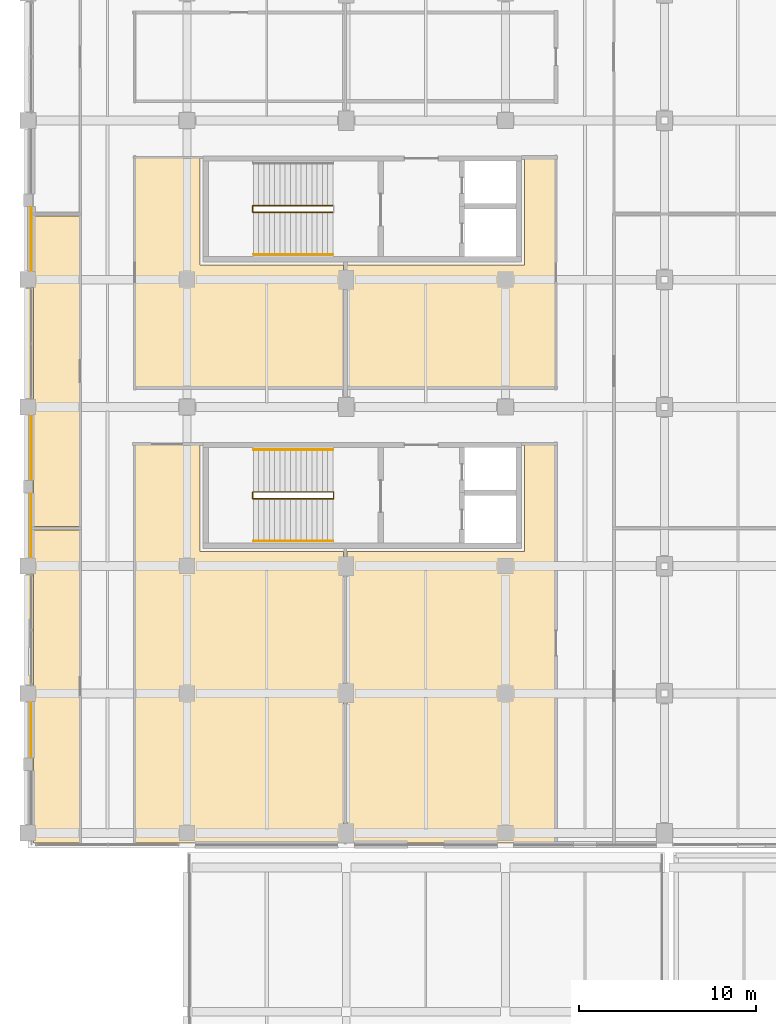
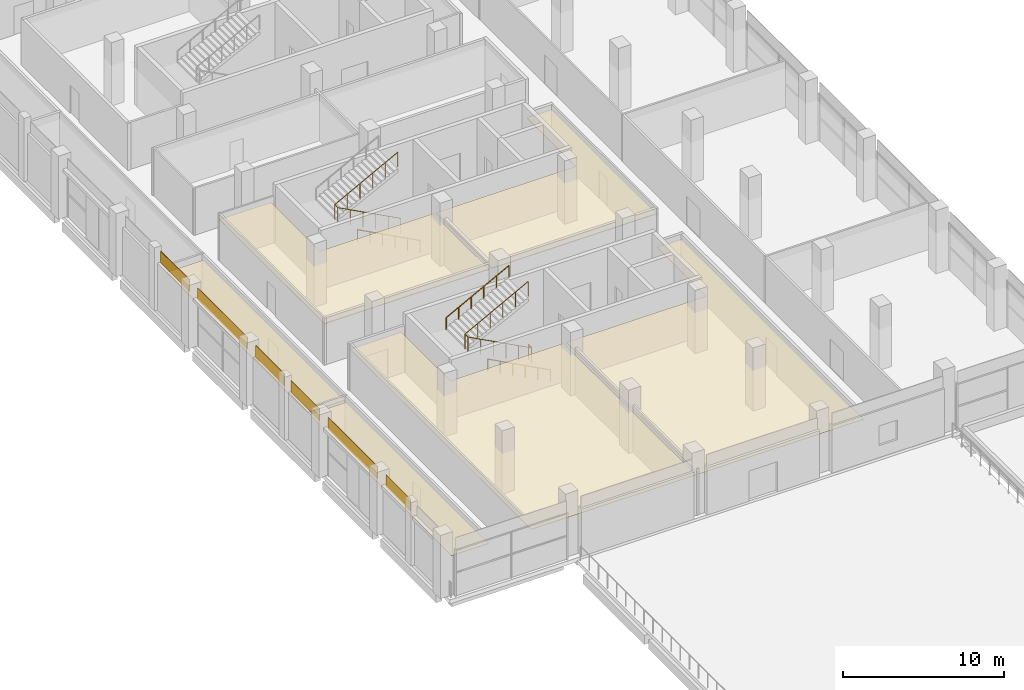
# One storey, part 66 of 82: 12 coverings, 6 railings.
"""IFC4 building model written with IfcOpenShell, lengths in metres."""

from ifc_helpers import new_model, si_unit, direction, frame, origin, origin_2d, place, context, subcontext, project, spatial, polyline, rectangle, circle, outline, extrude, material, layer, layer_set, type_object, element, save


model = new_model("IFC4")

# Units and contexts
model_context = context("Model", 3, precision=1e-05, world=origin(), true_north=direction((0.0, 1.0)))
body_context = subcontext(model_context, "Body", "Model", "MODEL_VIEW")
ifc_project = project(units=[si_unit("LENGTHUNIT", "METRE"), si_unit("AREAUNIT", "SQUARE_METRE"), si_unit("VOLUMEUNIT", "CUBIC_METRE"), si_unit("PLANEANGLEUNIT", "RADIAN"), si_unit("MASSUNIT", "GRAM", prefix="KILO"), si_unit("THERMODYNAMICTEMPERATUREUNIT", "KELVIN"), si_unit("POWERUNIT", "WATT")], contexts=[model_context])

# Site, building, storey
site_placement = place(None, origin())
site = spatial("IfcSite", under=ifc_project, at=site_placement, CompositionType="ELEMENT")
building_placement = place(site_placement, origin())
building = spatial("IfcBuilding", under=site, at=building_placement, Name="Sindhuravela Promenade Stadium", CompositionType="ELEMENT")
storey_placement = place(building_placement, frame((0.0, 0.0, 14.39990234375)))
storey = spatial("IfcBuildingStorey", under=building, at=storey_placement, Name="L03", CompositionType="ELEMENT", Elevation=14.39990234375)

# Coverings
ifc_material_1 = material(Name="Acoustic mineral-fibre ceiling tile", Category="gypsum")
ifc_layer_1 = layer(ifc_material_1, 0.02490234375)
ifc_layer_set_1 = layer_set([ifc_layer_1], Name="Acoustic mineral-fibre ceiling tile")
covering_type_1 = type_object("IfcCoveringType", Name="CV-CEIL-1", PredefinedType="CEILING", material=ifc_layer_set_1)
covering_1_placement = place(storey_placement, frame((0.0, 0.0, 3.050048828125)))
element("IfcCovering", 1, at=covering_1_placement, inside=storey, type_object=covering_type_1, Name="Acoustic ceiling Grand Banquet Hall West", PredefinedType="CEILING", context=body_context, shape_type="SweptSolid", body=[
    extrude(outline(polyline([(6.02001953125, 59.110107421875), (6.02001953125, 59.112060546875), (6.0205078125, 59.114013671875), (6.02099609375, 59.11572265625), (6.021484375, 59.11767578125), (6.0224609375, 59.119384765625), (6.0234375, 59.12109375), (6.0244140625, 59.122802734375), (6.02587890625, 59.1240234375), (6.02734375, 59.12548828125), (6.02880859375, 59.126708984375), (6.030517578125, 59.127685546875), (6.0322265625, 59.12841796875), (6.0341796875, 59.129150390625), (6.0361328125, 59.129638671875), (6.0380859375, 59.1298828125), (6.0400390625, 59.1298828125), (9.699951171875, 59.1298828125), (9.701904296875, 59.1298828125), (9.703857421875, 59.129638671875), (9.705810546875, 59.129150390625), (9.707763671875, 59.12841796875), (9.70947265625, 59.127685546875), (9.711181640625, 59.126708984375), (9.712646484375, 59.12548828125), (9.714111328125, 59.1240234375), (9.715576171875, 59.122802734375), (9.716552734375, 59.12109375), (9.717529296875, 59.119384765625), (9.718505859375, 59.11767578125), (9.718994140625, 59.11572265625), (9.719482421875, 59.114013671875), (9.719970703125, 59.112060546875), (9.719970703125, 59.110107421875), (9.719970703125, 53.02001953125), (17.830078125, 53.02001953125), (17.83203125, 53.02001953125), (17.833984375, 53.01953125), (17.835693359375, 53.01904296875), (17.837646484375, 53.0185546875), (17.83935546875, 53.017578125), (17.841064453125, 53.0166015625), (17.8427734375, 53.015380859375), (17.843994140625, 53.01416015625), (17.845458984375, 53.0126953125), (17.8466796875, 53.010986328125), (17.84765625, 53.009521484375), (17.848388671875, 53.0078125), (17.84912109375, 53.005859375), (17.849609375, 53.00390625), (17.849853515625, 53.001953125), (17.85009765625, 53.0), (17.85009765625, 36.570068359375), (17.849853515625, 36.568115234375), (17.849609375, 36.566162109375), (17.84912109375, 36.564208984375), (17.848388671875, 36.562255859375), (17.84765625, 36.560546875), (17.8466796875, 36.558837890625), (17.845458984375, 36.557373046875), (17.843994140625, 36.555908203125), (17.8427734375, 36.554443359375), (17.841064453125, 36.553466796875), (17.83935546875, 36.552490234375), (17.837646484375, 36.551513671875), (17.835693359375, 36.55078125), (17.833984375, 36.55029296875), (17.83203125, 36.550048828125), (17.830078125, 36.550048828125), (6.0400390625, 36.550048828125), (6.0380859375, 36.550048828125), (6.0361328125, 36.55029296875), (6.0341796875, 36.55078125), (6.0322265625, 36.551513671875), (6.030517578125, 36.552490234375), (6.02880859375, 36.553466796875), (6.02734375, 36.554443359375), (6.02587890625, 36.555908203125), (6.0244140625, 36.557373046875), (6.0234375, 36.558837890625), (6.0224609375, 36.560546875), (6.021484375, 36.562255859375), (6.02099609375, 36.564208984375), (6.0205078125, 36.566162109375), (6.02001953125, 36.568115234375), (6.02001953125, 36.570068359375), (6.02001953125, 59.110107421875)])), origin(), (0.0, 0.0, 1.0), 0.025146484375),
])
covering_2_placement = place(storey_placement, frame((0.0, 0.0, 3.050048828125)))
element("IfcCovering", 2, at=covering_2_placement, inside=storey, type_object=covering_type_1, Name="Acoustic ceiling Executive Hospitality Suite W02", PredefinedType="CEILING", context=body_context, shape_type="SweptSolid", body=[
    extrude(outline(polyline([(28.080078125, 53.02001953125), (28.080078125, 59.110107421875), (28.080078125, 59.112060546875), (28.080322265625, 59.114013671875), (28.080810546875, 59.11572265625), (28.08154296875, 59.11767578125), (28.08251953125, 59.119384765625), (28.08349609375, 59.12109375), (28.08447265625, 59.122802734375), (28.0859375, 59.1240234375), (28.08740234375, 59.12548828125), (28.0888671875, 59.126708984375), (28.090576171875, 59.127685546875), (28.09228515625, 59.12841796875), (28.09423828125, 59.129150390625), (28.09619140625, 59.129638671875), (28.097900390625, 59.1298828125), (28.10009765625, 59.1298828125), (29.860107421875, 59.1298828125), (29.862060546875, 59.1298828125), (29.864013671875, 59.129638671875), (29.86572265625, 59.129150390625), (29.86767578125, 59.12841796875), (29.869384765625, 59.127685546875), (29.87109375, 59.126708984375), (29.872802734375, 59.12548828125), (29.8740234375, 59.1240234375), (29.87548828125, 59.122802734375), (29.876708984375, 59.12109375), (29.877685546875, 59.119384765625), (29.87841796875, 59.11767578125), (29.879150390625, 59.11572265625), (29.879638671875, 59.114013671875), (29.8798828125, 59.112060546875), (29.8798828125, 59.110107421875), (29.8798828125, 36.570068359375), (29.8798828125, 36.568115234375), (29.879638671875, 36.566162109375), (29.879150390625, 36.564208984375), (29.87841796875, 36.562255859375), (29.877685546875, 36.560546875), (29.876708984375, 36.558837890625), (29.87548828125, 36.557373046875), (29.8740234375, 36.555908203125), (29.872802734375, 36.554443359375), (29.87109375, 36.553466796875), (29.869384765625, 36.552490234375), (29.86767578125, 36.551513671875), (29.86572265625, 36.55078125), (29.864013671875, 36.55029296875), (29.862060546875, 36.550048828125), (29.860107421875, 36.550048828125), (18.070068359375, 36.550048828125), (18.068115234375, 36.550048828125), (18.066162109375, 36.55029296875), (18.064208984375, 36.55078125), (18.062255859375, 36.551513671875), (18.060546875, 36.552490234375), (18.058837890625, 36.553466796875), (18.057373046875, 36.554443359375), (18.055908203125, 36.555908203125), (18.054443359375, 36.557373046875), (18.053466796875, 36.558837890625), (18.052490234375, 36.560546875), (18.051513671875, 36.562255859375), (18.05078125, 36.564208984375), (18.05029296875, 36.566162109375), (18.050048828125, 36.568115234375), (18.050048828125, 36.570068359375), (18.050048828125, 53.0), (18.050048828125, 53.001953125), (18.05029296875, 53.00390625), (18.05078125, 53.005859375), (18.051513671875, 53.0078125), (18.052490234375, 53.009521484375), (18.053466796875, 53.010986328125), (18.054443359375, 53.0126953125), (18.055908203125, 53.01416015625), (18.057373046875, 53.015380859375), (18.058837890625, 53.0166015625), (18.060546875, 53.017578125), (18.062255859375, 53.0185546875), (18.064208984375, 53.01904296875), (18.066162109375, 53.01953125), (18.068115234375, 53.02001953125), (18.070068359375, 53.02001953125), (28.080078125, 53.02001953125)])), origin(), (0.0, 0.0, 1.0), 0.025146484375),
])
covering_3_placement = place(storey_placement, frame((0.0, 0.0, 3.050048828125)))
element("IfcCovering", 3, at=covering_3_placement, inside=storey, type_object=covering_type_1, Name="Acoustic ceiling Accessible WC West L03 8", PredefinedType="CEILING", context=body_context, shape_type="SweptSolid", body=[
    extrude(outline(polyline([(2.97998046875, 36.570068359375), (2.97998046875, 36.568115234375), (2.9794921875, 36.566162109375), (2.97900390625, 36.564208984375), (2.978515625, 36.562255859375), (2.9775390625, 36.560546875), (2.9765625, 36.558837890625), (2.9755859375, 36.557373046875), (2.97412109375, 36.555908203125), (2.97265625, 36.554443359375), (2.97119140625, 36.553466796875), (2.969482421875, 36.552490234375), (2.9677734375, 36.551513671875), (2.9658203125, 36.55078125), (2.9638671875, 36.55029296875), (2.9619140625, 36.550048828125), (2.9599609375, 36.550048828125), (0.320068359375, 36.550048828125), (0.318115234375, 36.550048828125), (0.316162109375, 36.55029296875), (0.314208984375, 36.55078125), (0.312255859375, 36.551513671875), (0.310546875, 36.552490234375), (0.308837890625, 36.553466796875), (0.307373046875, 36.554443359375), (0.305908203125, 36.555908203125), (0.304443359375, 36.557373046875), (0.303466796875, 36.558837890625), (0.302490234375, 36.560546875), (0.301513671875, 36.562255859375), (0.30078125, 36.564208984375), (0.30029296875, 36.566162109375), (0.300048828125, 36.568115234375), (0.300048828125, 36.570068359375), (0.300048828125, 54.221923828125), (0.300048828125, 54.22412109375), (0.30029296875, 54.225830078125), (0.30078125, 54.227783203125), (0.301513671875, 54.229736328125), (0.302490234375, 54.2314453125), (0.303466796875, 54.233154296875), (0.304443359375, 54.234619140625), (0.305908203125, 54.236083984375), (0.307373046875, 54.237548828125), (0.308837890625, 54.238525390625), (0.310546875, 54.239501953125), (0.312255859375, 54.240478515625), (0.314208984375, 54.2412109375), (0.316162109375, 54.24169921875), (0.318115234375, 54.241943359375), (0.320068359375, 54.241943359375), (2.9599609375, 54.241943359375), (2.9619140625, 54.241943359375), (2.9638671875, 54.24169921875), (2.9658203125, 54.2412109375), (2.9677734375, 54.240478515625), (2.969482421875, 54.239501953125), (2.97119140625, 54.238525390625), (2.97265625, 54.237548828125), (2.97412109375, 54.236083984375), (2.9755859375, 54.234619140625), (2.9765625, 54.233154296875), (2.9775390625, 54.2314453125), (2.978515625, 54.229736328125), (2.97900390625, 54.227783203125), (2.9794921875, 54.225830078125), (2.97998046875, 54.22412109375), (2.97998046875, 54.221923828125), (2.97998046875, 36.570068359375)])), origin(), (0.0, 0.0, 1.0), 0.025146484375),
])
ifc_layer_2 = layer(ifc_material_1, 0.044921875)
ifc_layer_set_2 = layer_set([ifc_layer_2], Name="Acoustic mineral-fibre ceiling tile")
covering_type_2 = type_object("IfcCoveringType", Name="CV-CEIL-2", PredefinedType="CEILING", material=ifc_layer_set_2)
covering_4_placement = place(storey_placement, frame((0.0, 0.0, 3.050048828125)))
element("IfcCovering", 4, at=covering_4_placement, inside=storey, type_object=covering_type_2, Name="Acoustic ceiling Executive Hospitality Suite W01 3", PredefinedType="CEILING", context=body_context, shape_type="SweptSolid", body=[
    extrude(outline(polyline([(6.0400390625, 62.27001953125), (6.0380859375, 62.27001953125), (6.0361328125, 62.2705078125), (6.0341796875, 62.27099609375), (6.0322265625, 62.271484375), (6.030517578125, 62.2724609375), (6.02880859375, 62.2734375), (6.02734375, 62.2744140625), (6.02587890625, 62.27587890625), (6.0244140625, 62.27734375), (6.0234375, 62.27880859375), (6.0224609375, 62.280517578125), (6.021484375, 62.2822265625), (6.02099609375, 62.2841796875), (6.0205078125, 62.2861328125), (6.02001953125, 62.2880859375), (6.02001953125, 62.2900390625), (6.02001953125, 75.31005859375), (6.02001953125, 75.31201171875), (6.0205078125, 75.31396484375), (6.02099609375, 75.31591796875), (6.021484375, 75.317626953125), (6.0224609375, 75.3193359375), (6.0234375, 75.321044921875), (6.0244140625, 75.32275390625), (6.02587890625, 75.32421875), (6.02734375, 75.325439453125), (6.02880859375, 75.32666015625), (6.030517578125, 75.32763671875), (6.0322265625, 75.32861328125), (6.0341796875, 75.3291015625), (6.0361328125, 75.32958984375), (6.0380859375, 75.329833984375), (6.0400390625, 75.330078125), (9.699951171875, 75.330078125), (9.701904296875, 75.329833984375), (9.703857421875, 75.32958984375), (9.705810546875, 75.3291015625), (9.707763671875, 75.32861328125), (9.70947265625, 75.32763671875), (9.711181640625, 75.32666015625), (9.712646484375, 75.325439453125), (9.714111328125, 75.32421875), (9.715576171875, 75.32275390625), (9.716552734375, 75.321044921875), (9.717529296875, 75.3193359375), (9.718505859375, 75.317626953125), (9.718994140625, 75.31591796875), (9.719482421875, 75.31396484375), (9.719970703125, 75.31201171875), (9.719970703125, 75.31005859375), (9.719970703125, 69.219970703125), (17.830078125, 69.219970703125), (17.83203125, 69.219970703125), (17.833984375, 69.219482421875), (17.835693359375, 69.218994140625), (17.837646484375, 69.218505859375), (17.83935546875, 69.217529296875), (17.841064453125, 69.216552734375), (17.8427734375, 69.215576171875), (17.843994140625, 69.214111328125), (17.845458984375, 69.212646484375), (17.8466796875, 69.211181640625), (17.84765625, 69.20947265625), (17.848388671875, 69.207763671875), (17.84912109375, 69.205810546875), (17.849609375, 69.203857421875), (17.849853515625, 69.201904296875), (17.85009765625, 69.199951171875), (17.85009765625, 62.2900390625), (17.849853515625, 62.2880859375), (17.849609375, 62.2861328125), (17.84912109375, 62.2841796875), (17.848388671875, 62.2822265625), (17.84765625, 62.280517578125), (17.8466796875, 62.27880859375), (17.845458984375, 62.27734375), (17.843994140625, 62.27587890625), (17.8427734375, 62.2744140625), (17.841064453125, 62.2734375), (17.83935546875, 62.2724609375), (17.837646484375, 62.271484375), (17.835693359375, 62.27099609375), (17.833984375, 62.2705078125), (17.83203125, 62.27001953125), (17.830078125, 62.27001953125), (6.0400390625, 62.27001953125)])), origin(), (0.0, 0.0, 1.0), 0.045166015625),
])
covering_5_placement = place(storey_placement, frame((0.0, 0.0, 3.050048828125)))
element("IfcCovering", 5, at=covering_5_placement, inside=storey, type_object=covering_type_2, Name="Acoustic ceiling Executive Hospitality Suite W03 5", PredefinedType="CEILING", context=body_context, shape_type="SweptSolid", body=[
    extrude(outline(polyline([(28.080078125, 75.31005859375), (28.080078125, 75.31201171875), (28.080322265625, 75.31396484375), (28.080810546875, 75.31591796875), (28.08154296875, 75.317626953125), (28.08251953125, 75.3193359375), (28.08349609375, 75.321044921875), (28.08447265625, 75.32275390625), (28.0859375, 75.32421875), (28.08740234375, 75.325439453125), (28.0888671875, 75.32666015625), (28.090576171875, 75.32763671875), (28.09228515625, 75.32861328125), (28.09423828125, 75.3291015625), (28.09619140625, 75.32958984375), (28.097900390625, 75.329833984375), (28.10009765625, 75.330078125), (29.860107421875, 75.330078125), (29.862060546875, 75.329833984375), (29.864013671875, 75.32958984375), (29.86572265625, 75.3291015625), (29.86767578125, 75.32861328125), (29.869384765625, 75.32763671875), (29.87109375, 75.32666015625), (29.872802734375, 75.325439453125), (29.8740234375, 75.32421875), (29.87548828125, 75.32275390625), (29.876708984375, 75.321044921875), (29.877685546875, 75.3193359375), (29.87841796875, 75.317626953125), (29.879150390625, 75.31591796875), (29.879638671875, 75.31396484375), (29.8798828125, 75.31201171875), (29.8798828125, 75.31005859375), (29.8798828125, 62.2900390625), (29.8798828125, 62.2880859375), (29.879638671875, 62.2861328125), (29.879150390625, 62.2841796875), (29.87841796875, 62.2822265625), (29.877685546875, 62.280517578125), (29.876708984375, 62.27880859375), (29.87548828125, 62.27734375), (29.8740234375, 62.27587890625), (29.872802734375, 62.2744140625), (29.87109375, 62.2734375), (29.869384765625, 62.2724609375), (29.86767578125, 62.271484375), (29.86572265625, 62.27099609375), (29.864013671875, 62.2705078125), (29.862060546875, 62.27001953125), (29.860107421875, 62.27001953125), (18.070068359375, 62.27001953125), (18.068115234375, 62.27001953125), (18.066162109375, 62.2705078125), (18.064208984375, 62.27099609375), (18.062255859375, 62.271484375), (18.060546875, 62.2724609375), (18.058837890625, 62.2734375), (18.057373046875, 62.2744140625), (18.055908203125, 62.27587890625), (18.054443359375, 62.27734375), (18.053466796875, 62.27880859375), (18.052490234375, 62.280517578125), (18.051513671875, 62.2822265625), (18.05078125, 62.2841796875), (18.05029296875, 62.2861328125), (18.050048828125, 62.2880859375), (18.050048828125, 62.2900390625), (18.050048828125, 69.199951171875), (18.050048828125, 69.201904296875), (18.05029296875, 69.203857421875), (18.05078125, 69.205810546875), (18.051513671875, 69.207763671875), (18.052490234375, 69.20947265625), (18.053466796875, 69.211181640625), (18.054443359375, 69.212646484375), (18.055908203125, 69.214111328125), (18.057373046875, 69.215576171875), (18.058837890625, 69.216552734375), (18.060546875, 69.217529296875), (18.062255859375, 69.218505859375), (18.064208984375, 69.218994140625), (18.066162109375, 69.219482421875), (18.068115234375, 69.219970703125), (18.070068359375, 69.219970703125), (28.080078125, 69.219970703125), (28.080078125, 75.31005859375)])), origin(), (0.0, 0.0, 1.0), 0.045166015625),
])
covering_6_placement = place(storey_placement, frame((0.0, 0.0, 3.050048828125)))
element("IfcCovering", 6, at=covering_6_placement, inside=storey, type_object=covering_type_2, Name="Acoustic ceiling Executive Hospitality Suite W01 11", PredefinedType="CEILING", context=body_context, shape_type="SweptSolid", body=[
    extrude(outline(polyline([(2.97998046875, 54.4619140625), (2.97998046875, 54.4599609375), (2.9794921875, 54.4580078125), (2.97900390625, 54.456298828125), (2.978515625, 54.454345703125), (2.9775390625, 54.45263671875), (2.9765625, 54.450927734375), (2.9755859375, 54.44921875), (2.97412109375, 54.447998046875), (2.97265625, 54.446533203125), (2.97119140625, 54.4453125), (2.969482421875, 54.4443359375), (2.9677734375, 54.443603515625), (2.9658203125, 54.44287109375), (2.9638671875, 54.4423828125), (2.9619140625, 54.442138671875), (2.9599609375, 54.44189453125), (0.320068359375, 54.44189453125), (0.318115234375, 54.442138671875), (0.316162109375, 54.4423828125), (0.314208984375, 54.44287109375), (0.312255859375, 54.443603515625), (0.310546875, 54.4443359375), (0.308837890625, 54.4453125), (0.307373046875, 54.446533203125), (0.305908203125, 54.447998046875), (0.304443359375, 54.44921875), (0.303466796875, 54.450927734375), (0.302490234375, 54.45263671875), (0.301513671875, 54.454345703125), (0.30078125, 54.456298828125), (0.30029296875, 54.4580078125), (0.300048828125, 54.4599609375), (0.300048828125, 54.4619140625), (0.300048828125, 71.993896484375), (0.300048828125, 71.99609375), (0.30029296875, 71.997802734375), (0.30078125, 71.999755859375), (0.301513671875, 72.001708984375), (0.302490234375, 72.00341796875), (0.303466796875, 72.005126953125), (0.304443359375, 72.006591796875), (0.305908203125, 72.008056640625), (0.307373046875, 72.009521484375), (0.308837890625, 72.010498046875), (0.310546875, 72.01171875), (0.312255859375, 72.012451171875), (0.314208984375, 72.01318359375), (0.316162109375, 72.013671875), (0.318115234375, 72.013916015625), (0.320068359375, 72.013916015625), (2.9599609375, 72.013916015625), (2.9619140625, 72.013916015625), (2.9638671875, 72.013671875), (2.9658203125, 72.01318359375), (2.9677734375, 72.012451171875), (2.969482421875, 72.01171875), (2.97119140625, 72.010498046875), (2.97265625, 72.009521484375), (2.97412109375, 72.008056640625), (2.9755859375, 72.006591796875), (2.9765625, 72.005126953125), (2.9775390625, 72.00341796875), (2.978515625, 72.001708984375), (2.97900390625, 71.999755859375), (2.9794921875, 71.997802734375), (2.97998046875, 71.99609375), (2.97998046875, 71.993896484375), (2.97998046875, 54.4619140625)])), origin(), (0.0, 0.0, 1.0), 0.045166015625),
])
ifc_material_2 = material(Name="Polychrome trencadis ceramic mosaic", Category="masonry")
ifc_layer_3 = layer(ifc_material_2, 0.034912109375)
ifc_layer_set_3 = layer_set([ifc_layer_3], Name="Polychrome trencadis ceramic mosaic")
covering_type_3 = type_object("IfcCoveringType", Name="CV-TRENC-1", PredefinedType="CLADDING", material=ifc_layer_set_3)
covering_7_placement = place(storey_placement, frame((0.179931640625, 42.949951171875, 3.55517578125), z_axis=(0.0, 0.0, 1.0), x_axis=(0.0, 1.0, 0.0)))
element("IfcCovering", 7, at=covering_7_placement, inside=storey, type_object=covering_type_3, Name="Trencadis ceramic mosaic spandrel frieze WEST L03-64", PredefinedType="CLADDING", context=body_context, shape_type="SweptSolid", body=[
    extrude(rectangle(XDim=3.070068359375, YDim=0.034912109375, at=origin_2d()), origin(), (0.0, 0.0, 1.0), 0.905029296875),
])
covering_8_placement = place(storey_placement, frame((0.179931640625, 54.5, 3.55517578125), z_axis=(0.0, 0.0, 1.0), x_axis=(0.0, 1.0, 0.0)))
element("IfcCovering", 8, at=covering_8_placement, inside=storey, type_object=covering_type_3, Name="Trencadis ceramic mosaic spandrel frieze WEST L03-66", PredefinedType="CLADDING", context=body_context, shape_type="SweptSolid", body=[
    extrude(rectangle(XDim=3.570068359375, YDim=0.034912109375, at=origin_2d()), origin(), (0.0, 0.0, 1.0), 0.905029296875),
])
covering_9_placement = place(storey_placement, frame((0.179931640625, 64.800048828125, 3.55517578125), z_axis=(0.0, 0.0, 1.0), x_axis=(0.0, 1.0, 0.0)))
element("IfcCovering", 9, at=covering_9_placement, inside=storey, type_object=covering_type_3, Name="Trencadis ceramic mosaic spandrel frieze WEST L03-68", PredefinedType="CLADDING", context=body_context, shape_type="SweptSolid", body=[
    extrude(rectangle(XDim=6.169921875, YDim=0.034912109375, at=origin_2d()), origin(), (0.0, 0.0, 1.0), 0.905029296875),
])
ifc_layer_4 = layer(ifc_material_2, 0.050048828125)
ifc_layer_set_4 = layer_set([ifc_layer_4], Name="Polychrome trencadis ceramic mosaic")
covering_type_4 = type_object("IfcCoveringType", Name="CV-TRENC-2", PredefinedType="CLADDING", material=ifc_layer_set_4)
covering_10_placement = place(storey_placement, frame((0.179931640625, 48.60009765625, 3.55517578125), z_axis=(0.0, 0.0, 1.0), x_axis=(0.0, 1.0, 0.0)))
element("IfcCovering", 10, at=covering_10_placement, inside=storey, type_object=covering_type_4, Name="Trencadis ceramic mosaic spandrel frieze WEST L03-65", PredefinedType="CLADDING", context=body_context, shape_type="SweptSolid", body=[
    extrude(rectangle(XDim=6.169921875, YDim=0.050048828125, at=origin_2d()), origin(), (0.0, 0.0, 1.0), 0.905029296875),
])
for number, where, z_axis, x_axis, name in (
    (11, (0.179931640625, 58.89990234375, 3.55517578125), (0.0, 0.0, 1.0), (0.0, 1.0, 0.0), "Trencadis ceramic mosaic spandrel frieze WEST L03-67"),
    (12, (0.179931640625, 70.699951171875, 3.55517578125), (0.0, 0.0, 1.0), (0.0, 1.0, 0.0), "Trencadis ceramic mosaic spandrel frieze WEST L03-69"),
):
    element("IfcCovering", number, at=place(storey_placement, frame(where, z_axis=z_axis, x_axis=x_axis)), inside=storey, type_object=covering_type_4, Name=name, PredefinedType="CLADDING", context=body_context, shape_type="SweptSolid", body=[
        extrude(rectangle(XDim=3.570068359375, YDim=0.050048828125, at=origin_2d()), origin(), (0.0, 0.0, 1.0), 0.905029296875),
    ])

# Railings
ifc_material_3 = material(Name="Architectural wrought steel E350", Category="steel")
railing_type_1 = type_object("IfcRailingType", Name="RL-GRD-1150", PredefinedType="GUARDRAIL", material=ifc_material_3)
railing_1_placement = place(storey_placement, frame((17.25, 56.010009765625, 0.0)))
element("IfcRailing", 13, at=railing_1_placement, inside=storey, type_object=railing_type_1, Name="Stair ST01 inner well guard (L03)", PredefinedType="GUARDRAIL", context=body_context, shape_type="SweptSolid", body=[
    extrude(circle(Radius=0.02392578125, at=origin_2d()), frame((0.0, 0.0, 1.1259765625), z_axis=(-0.8836349624059475, 0.0, 0.46817651928929505), x_axis=(0.0, -1.0, 0.0)), (0.0, 0.0, 1.0), 5.12646484375),
    extrude(circle(Radius=0.02392578125, at=origin_2d()), frame((-4.530029296875, 0.0, 3.52587890625), z_axis=(0.0, 1.0, 0.0), x_axis=(-1.0, 0.0, 0.0)), (0.0, 0.0, 1.0), 0.3798828125),
    extrude(circle(Radius=0.02392578125, at=origin_2d()), frame((-4.530029296875, 0.3798828125, 3.52587890625), z_axis=(0.8836546633431795, 0.0, 0.46813933390802775), x_axis=(0.0, 1.0, 0.0)), (0.0, 0.0, 1.0), 5.12646484375),
    extrude(circle(Radius=0.02099609375, at=origin_2d()), origin(), (0.0, 0.0, 1.0), 1.101806640625),
    extrude(circle(Radius=0.02099609375, at=origin_2d()), frame((-0.906005859375, 0.0, 0.47998046875)), (0.0, 0.0, 1.0), 1.101806640625),
    extrude(circle(Radius=0.02099609375, at=origin_2d()), frame((-1.81201171875, 0.0, 0.9599609375)), (0.0, 0.0, 1.0), 1.101806640625),
    extrude(circle(Radius=0.02099609375, at=origin_2d()), frame((-2.718017578125, 0.0, 1.440185546875)), (0.0, 0.0, 1.0), 1.101806640625),
    extrude(circle(Radius=0.02099609375, at=origin_2d()), frame((-3.6240234375, 0.0, 1.920166015625)), (0.0, 0.0, 1.0), 1.101806640625),
    extrude(circle(Radius=0.02099609375, at=origin_2d()), frame((-4.530029296875, 0.0, 2.400146484375)), (0.0, 0.0, 1.0), 1.101806640625),
    extrude(circle(Radius=0.02099609375, at=origin_2d()), frame((-4.530029296875, 0.3798828125, 2.400146484375)), (0.0, 0.0, 1.0), 1.101806640625),
    extrude(circle(Radius=0.02099609375, at=origin_2d()), frame((-3.6240234375, 0.3798828125, 2.880126953125)), (0.0, 0.0, 1.0), 1.101806640625),
    extrude(circle(Radius=0.02099609375, at=origin_2d()), frame((-2.718017578125, 0.3798828125, 3.360107421875)), (0.0, 0.0, 1.0), 1.101806640625),
    extrude(circle(Radius=0.02099609375, at=origin_2d()), frame((-1.81201171875, 0.3798828125, 3.840087890625)), (0.0, 0.0, 1.0), 1.101806640625),
    extrude(circle(Radius=0.02099609375, at=origin_2d()), frame((-0.906005859375, 0.3798828125, 4.320068359375)), (0.0, 0.0, 1.0), 1.101806640625),
    extrude(circle(Radius=0.02099609375, at=origin_2d()), frame((0.0, 0.3798828125, 4.800048828125)), (0.0, 0.0, 1.0), 1.101806640625),
])
railing_2_placement = place(storey_placement, frame((17.280029296875, 56.010009765625, 0.0)))
element("IfcRailing", 14, at=railing_2_placement, inside=storey, type_object=railing_type_1, Name="Stair ST01 landing well slot guard (L03)", PredefinedType="GUARDRAIL", context=body_context, shape_type="SweptSolid", body=[
    extrude(circle(Radius=0.02392578125, at=origin_2d()), frame((0.0, 0.0, 1.1259765625), z_axis=(0.0, 1.0, 0.0), x_axis=(-1.0, 0.0, 0.0)), (0.0, 0.0, 1.0), 0.3798828125),
    extrude(circle(Radius=0.02099609375, at=origin_2d()), origin(), (0.0, 0.0, 1.0), 1.101806640625),
    extrude(circle(Radius=0.02099609375, at=origin_2d()), frame((0.0, 0.3798828125, 0.0)), (0.0, 0.0, 1.0), 1.101806640625),
])
railing_3_placement = place(storey_placement, frame((17.25, 72.2099609375, 0.0)))
element("IfcRailing", 15, at=railing_3_placement, inside=storey, type_object=railing_type_1, Name="Stair ST02 inner well guard (L03)", PredefinedType="GUARDRAIL", context=body_context, shape_type="SweptSolid", body=[
    extrude(circle(Radius=0.02392578125, at=origin_2d()), frame((0.0, 0.0, 1.1259765625), z_axis=(-0.8836349624059475, 0.0, 0.46817651928929505), x_axis=(0.0, -1.0, 0.0)), (0.0, 0.0, 1.0), 5.12646484375),
    extrude(circle(Radius=0.02392578125, at=origin_2d()), frame((-4.530029296875, 0.0, 3.52587890625), z_axis=(0.0, 1.0, 0.0), x_axis=(-1.0, 0.0, 0.0)), (0.0, 0.0, 1.0), 0.380126953125),
    extrude(circle(Radius=0.02392578125, at=origin_2d()), frame((-4.530029296875, 0.380126953125, 3.52587890625), z_axis=(0.8836546633431795, 0.0, 0.46813933390802775), x_axis=(0.0, 1.0, 0.0)), (0.0, 0.0, 1.0), 5.12646484375),
    extrude(circle(Radius=0.02099609375, at=origin_2d()), origin(), (0.0, 0.0, 1.0), 1.101806640625),
    extrude(circle(Radius=0.02099609375, at=origin_2d()), frame((-0.906005859375, 0.0, 0.47998046875)), (0.0, 0.0, 1.0), 1.101806640625),
    extrude(circle(Radius=0.02099609375, at=origin_2d()), frame((-1.81201171875, 0.0, 0.9599609375)), (0.0, 0.0, 1.0), 1.101806640625),
    extrude(circle(Radius=0.02099609375, at=origin_2d()), frame((-2.718017578125, 0.0, 1.440185546875)), (0.0, 0.0, 1.0), 1.101806640625),
    extrude(circle(Radius=0.02099609375, at=origin_2d()), frame((-3.6240234375, 0.0, 1.920166015625)), (0.0, 0.0, 1.0), 1.101806640625),
    extrude(circle(Radius=0.02099609375, at=origin_2d()), frame((-4.530029296875, 0.0, 2.400146484375)), (0.0, 0.0, 1.0), 1.101806640625),
    extrude(circle(Radius=0.02099609375, at=origin_2d()), frame((-4.530029296875, 0.380126953125, 2.400146484375)), (0.0, 0.0, 1.0), 1.101806640625),
    extrude(circle(Radius=0.02099609375, at=origin_2d()), frame((-3.6240234375, 0.380126953125, 2.880126953125)), (0.0, 0.0, 1.0), 1.101806640625),
    extrude(circle(Radius=0.02099609375, at=origin_2d()), frame((-2.718017578125, 0.380126953125, 3.360107421875)), (0.0, 0.0, 1.0), 1.101806640625),
    extrude(circle(Radius=0.02099609375, at=origin_2d()), frame((-1.81201171875, 0.380126953125, 3.840087890625)), (0.0, 0.0, 1.0), 1.101806640625),
    extrude(circle(Radius=0.02099609375, at=origin_2d()), frame((-0.906005859375, 0.380126953125, 4.320068359375)), (0.0, 0.0, 1.0), 1.101806640625),
    extrude(circle(Radius=0.02099609375, at=origin_2d()), frame((0.0, 0.380126953125, 4.800048828125)), (0.0, 0.0, 1.0), 1.101806640625),
])
railing_type_2 = type_object("IfcRailingType", Name="RL-HND-920", PredefinedType="HANDRAIL", material=ifc_material_3)
railing_4_placement = place(storey_placement, frame((17.25, 53.6201171875, 0.0)))
element("IfcRailing", 16, at=railing_4_placement, inside=storey, type_object=railing_type_2, Name="Stair ST01 lower wall handrail (L03)", PredefinedType="HANDRAIL", context=body_context, shape_type="SweptSolid", body=[
    extrude(circle(Radius=0.02392578125, at=origin_2d()), frame((0.0, 0.0, 0.89599609375), z_axis=(-0.8823410147872734, 0.0, 0.47061059659145427), x_axis=(0.0, -1.0, 0.0)), (0.0, 0.0, 1.0), 5.10009765625),
    extrude(circle(Radius=0.02099609375, at=origin_2d()), origin(), (0.0, 0.0, 1.0), 0.871826171875),
    extrude(circle(Radius=0.02099609375, at=origin_2d()), frame((-0.89990234375, 0.0, 0.47998046875)), (0.0, 0.0, 1.0), 0.871826171875),
    extrude(circle(Radius=0.02099609375, at=origin_2d()), frame((-1.800048828125, 0.0, 0.9599609375)), (0.0, 0.0, 1.0), 0.871826171875),
    extrude(circle(Radius=0.02099609375, at=origin_2d()), frame((-2.699951171875, 0.0, 1.440185546875)), (0.0, 0.0, 1.0), 0.871826171875),
    extrude(circle(Radius=0.02099609375, at=origin_2d()), frame((-3.60009765625, 0.0, 1.920166015625)), (0.0, 0.0, 1.0), 0.871826171875),
    extrude(circle(Radius=0.02099609375, at=origin_2d()), frame((-4.5, 0.0, 2.400146484375)), (0.0, 0.0, 1.0), 0.871826171875),
])
railing_5_placement = place(storey_placement, frame((12.75, 58.780029296875, 2.400146484375)))
element("IfcRailing", 17, at=railing_5_placement, inside=storey, type_object=railing_type_2, Name="Stair ST01 upper wall handrail (L03)", PredefinedType="HANDRAIL", context=body_context, shape_type="SweptSolid", body=[
    extrude(circle(Radius=0.02392578125, at=origin_2d()), frame((0.0, 0.0, 0.89599609375), z_axis=(0.8823608919668723, 0.0, 0.4705733272588083), x_axis=(0.0, 1.0, 0.0)), (0.0, 0.0, 1.0), 5.099853515625),
    extrude(circle(Radius=0.02099609375, at=origin_2d()), origin(), (0.0, 0.0, 1.0), 0.871826171875),
    extrude(circle(Radius=0.02099609375, at=origin_2d()), frame((0.89990234375, 0.0, 0.47998046875)), (0.0, 0.0, 1.0), 0.871826171875),
    extrude(circle(Radius=0.02099609375, at=origin_2d()), frame((1.800048828125, 0.0, 0.9599609375)), (0.0, 0.0, 1.0), 0.871826171875),
    extrude(circle(Radius=0.02099609375, at=origin_2d()), frame((2.699951171875, 0.0, 1.43994140625)), (0.0, 0.0, 1.0), 0.871826171875),
    extrude(circle(Radius=0.02099609375, at=origin_2d()), frame((3.60009765625, 0.0, 1.919921875)), (0.0, 0.0, 1.0), 0.871826171875),
    extrude(circle(Radius=0.02099609375, at=origin_2d()), frame((4.5, 0.0, 2.39990234375)), (0.0, 0.0, 1.0), 0.871826171875),
])
railing_6_placement = place(storey_placement, frame((17.25, 69.820068359375, 0.0)))
element("IfcRailing", 18, at=railing_6_placement, inside=storey, type_object=railing_type_2, Name="Stair ST02 lower wall handrail (L03)", PredefinedType="HANDRAIL", context=body_context, shape_type="SweptSolid", body=[
    extrude(circle(Radius=0.02392578125, at=origin_2d()), frame((0.0, 0.0, 0.89599609375), z_axis=(-0.8823410147872734, 0.0, 0.47061059659145427), x_axis=(0.0, -1.0, 0.0)), (0.0, 0.0, 1.0), 5.10009765625),
    extrude(circle(Radius=0.02099609375, at=origin_2d()), origin(), (0.0, 0.0, 1.0), 0.871826171875),
    extrude(circle(Radius=0.02099609375, at=origin_2d()), frame((-0.89990234375, 0.0, 0.47998046875)), (0.0, 0.0, 1.0), 0.871826171875),
    extrude(circle(Radius=0.02099609375, at=origin_2d()), frame((-1.800048828125, 0.0, 0.9599609375)), (0.0, 0.0, 1.0), 0.871826171875),
    extrude(circle(Radius=0.02099609375, at=origin_2d()), frame((-2.699951171875, 0.0, 1.440185546875)), (0.0, 0.0, 1.0), 0.871826171875),
    extrude(circle(Radius=0.02099609375, at=origin_2d()), frame((-3.60009765625, 0.0, 1.920166015625)), (0.0, 0.0, 1.0), 0.871826171875),
    extrude(circle(Radius=0.02099609375, at=origin_2d()), frame((-4.5, 0.0, 2.400146484375)), (0.0, 0.0, 1.0), 0.871826171875),
])

save(model, "model.ifc")
